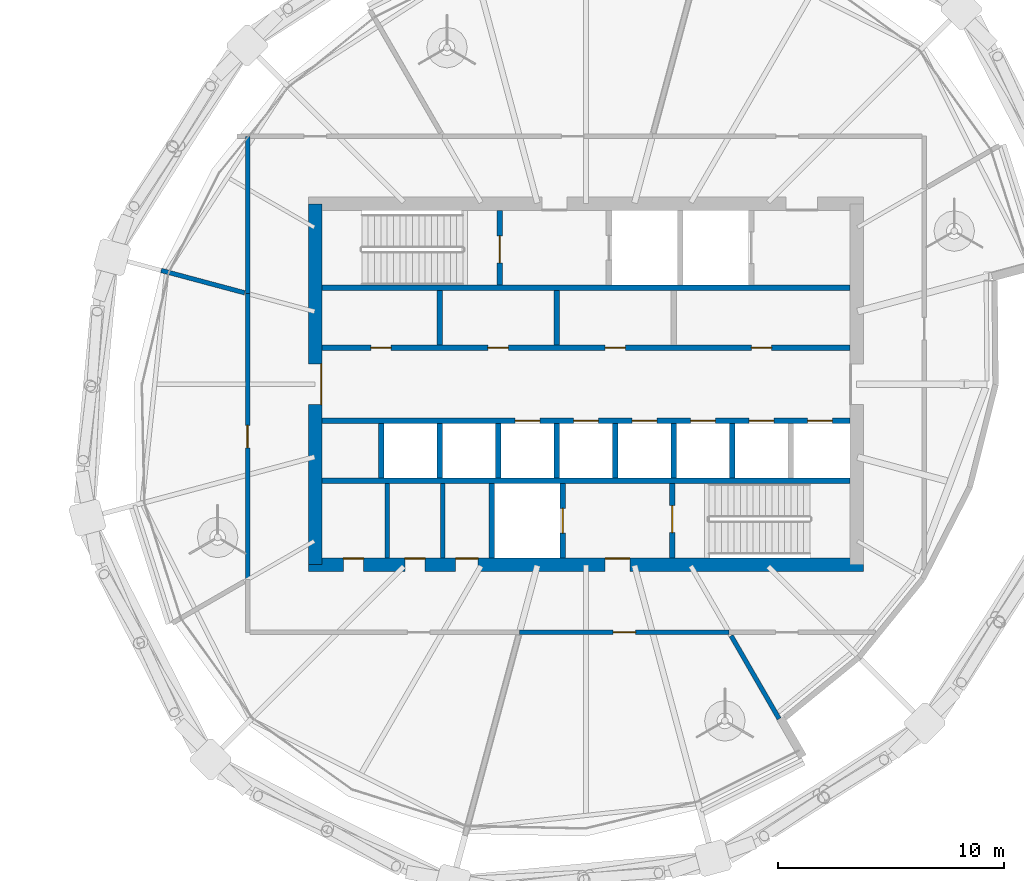
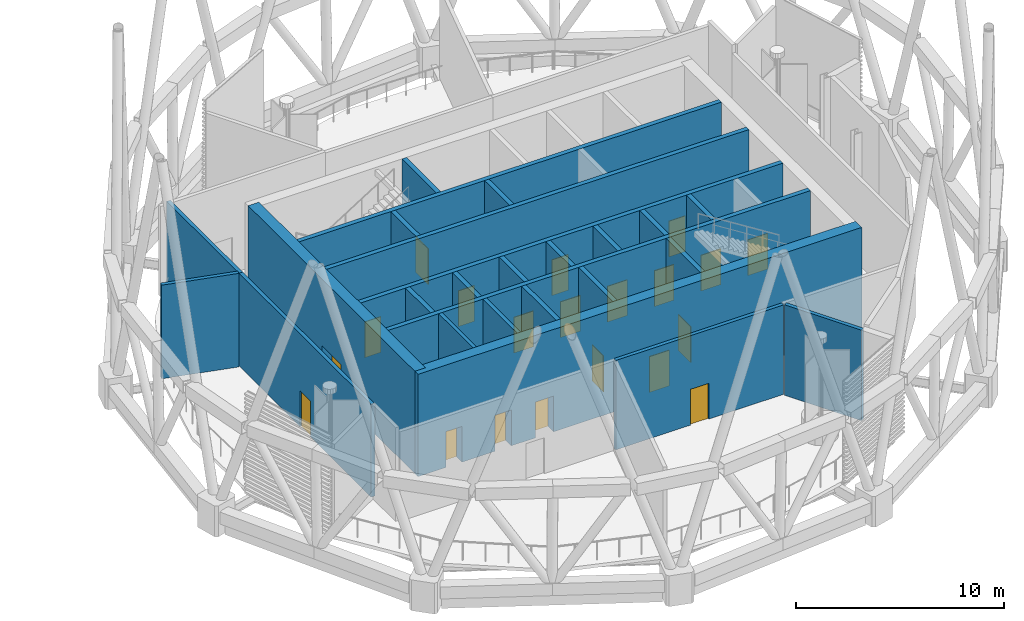
# One storey, part 12 of 22: 26 walls, 20 doors, 20 openings.
"""IFC4 building model written with IfcOpenShell, lengths in metres."""

from ifc_helpers import new_model, si_unit, direction, frame, frame_2d, origin, place, context, subcontext, project, spatial, rectangle, extrude, material, layer, layer_set, type_object, element, fill, save


model = new_model("IFC4")

# Units and contexts
model_context = context("Model", 3, precision=1e-05, world=origin(), true_north=direction((0.0, 1.0)))
body_context = subcontext(model_context, "Body", "Model", "MODEL_VIEW")
ifc_project = project(units=[si_unit("LENGTHUNIT", "METRE"), si_unit("AREAUNIT", "SQUARE_METRE"), si_unit("VOLUMEUNIT", "CUBIC_METRE"), si_unit("PLANEANGLEUNIT", "RADIAN"), si_unit("MASSUNIT", "GRAM", prefix="KILO")], contexts=[model_context])

# Site, building, storey
site_placement = place(None, origin())
site = spatial("IfcSite", under=ifc_project, at=site_placement, CompositionType="ELEMENT")
building_placement = place(site_placement, origin())
building = spatial("IfcBuilding", under=site, at=building_placement, Name="Rimbun Link Towers", CompositionType="ELEMENT")
storey_placement = place(building_placement, frame((0.0, 0.0, 204.5)))
storey = spatial("IfcBuildingStorey", under=building, at=storey_placement, Name="L50", CompositionType="ELEMENT", Elevation=204.5)

# Walls
ifc_material_1 = material(Name="Masonry blockwork", Category="masonry")
ifc_layer_1 = layer(ifc_material_1, 0.199951171875)
ifc_layer_set_1 = layer_set([ifc_layer_1], Name="Core partition 200")
wall_type_1 = type_object("IfcWallType", Name="Core partition 200", PredefinedType="PARTITIONING", material=ifc_layer_set_1)
for number, where, z_axis, x_axis, name in (
    (1, (22.949951171875, -4.39990234375, 0.0), (0.0, 0.0, 1.0), (0.0, -1.0, 0.0), "L50 T2 core wall C1"),
    (2, (25.39990234375, -4.39990234375, 0.0), (0.0, 0.0, 1.0), (0.0, -1.0, 0.0), "L50 T2 core wall C2"),
):
    element("IfcWall", number, at=place(storey_placement, frame(where, z_axis=z_axis, x_axis=x_axis)), inside=storey, type_object=wall_type_1, Name=name, PredefinedType="PARTITIONING", context=body_context, shape_type="SweptSolid", body=[
        extrude(rectangle(XDim=3.300048828125, YDim=0.199951171875, at=frame_2d((1.64990234375, 0.0))), origin(), (0.0, 0.0, 1.0), 6.0),
    ])

# Wall, openings, doors
ifc_material_2 = material(Name="Concrete C60/75", Category="concrete")
ifc_layer_2 = layer(ifc_material_2, 0.60009765625)
ifc_layer_set_2 = layer_set([ifc_layer_2], Name="Core shear wall 600")
wall_type_2 = type_object("IfcWallType", Name="Core shear wall 600", PredefinedType="SHEAR", material=ifc_layer_set_2)
wall_1_placement = place(storey_placement, frame((19.449951171875, -8.0, 0.0), z_axis=(0.0, 0.0, 1.0), x_axis=(1.0, 0.0, 0.0)))
wall_1 = element("IfcWall", 3, at=wall_1_placement, inside=storey, type_object=wall_type_2, Name="L50 T2 core wall S", PredefinedType="SHEAR", context=body_context, shape_type="SweptSolid", body=[
    extrude(rectangle(XDim=24.60009765625, YDim=0.60009765625, at=frame_2d((12.300048828125, 0.0))), origin(), (0.0, 0.0, 1.0), 6.0),
])
opening_1_placement = place(wall_1_placement, frame((13.14990234375, 0.0, 0.0)))
opening_1 = element("IfcOpeningElement", 4, at=opening_1_placement, cuts=wall_1, Name="Opening C2DCF01S", PredefinedType="OPENING", context=body_context, shape_type="SweptSolid", body=[
    extrude(rectangle(XDim=1.10009765625, YDim=2.10009765625, at=frame_2d((0.550048828125, 1.050048828125))), frame((0.0, 0.31005859375, 0.0), z_axis=(0.0, -1.0, 0.0), x_axis=(1.0, 0.0, 0.0)), (0.0, 0.0, 1.0), 0.6201171875),
])
opening_2_placement = place(wall_1_placement, frame((1.550048828125, 0.0, 0.0)))
opening_2 = element("IfcOpeningElement", 5, at=opening_2_placement, cuts=wall_1, Name="Opening C2DWC02S", PredefinedType="OPENING", context=body_context, shape_type="SweptSolid", body=[
    extrude(rectangle(XDim=0.89990234375, YDim=2.10009765625, at=frame_2d((0.449951171875, 1.050048828125))), frame((0.0, 0.31005859375, 0.0), z_axis=(0.0, -1.0, 0.0), x_axis=(1.0, 0.0, 0.0)), (0.0, 0.0, 1.0), 0.6201171875),
])
opening_3_placement = place(wall_1_placement, frame((4.27490234375, 0.0, 0.0)))
opening_3 = element("IfcOpeningElement", 6, at=opening_3_placement, cuts=wall_1, Name="Opening C2DWC03S", PredefinedType="OPENING", context=body_context, shape_type="SweptSolid", body=[
    extrude(rectangle(XDim=0.89990234375, YDim=2.10009765625, at=frame_2d((0.449951171875, 1.050048828125))), frame((0.0, 0.31005859375, 0.0), z_axis=(0.0, -1.0, 0.0), x_axis=(1.0, 0.0, 0.0)), (0.0, 0.0, 1.0), 0.6201171875),
])
opening_4_placement = place(wall_1_placement, frame((6.52490234375, 0.0, 0.0)))
opening_4 = element("IfcOpeningElement", 7, at=opening_4_placement, cuts=wall_1, Name="Opening C2DAW04S", PredefinedType="OPENING", context=body_context, shape_type="SweptSolid", body=[
    extrude(rectangle(XDim=1.0, YDim=2.10009765625, at=frame_2d((0.5, 1.050048828125))), frame((0.0, 0.31005859375, 0.0), z_axis=(0.0, -1.0, 0.0), x_axis=(1.0, 0.0, 0.0)), (0.0, 0.0, 1.0), 0.6201171875),
])
ifc_material_3 = material(Name="Timber", Category="wood")
door_type_1 = type_object("IfcDoorType", Name="Accessible WC door", OperationType="SINGLE_SWING_LEFT", PredefinedType="DOOR", material=ifc_material_3)
door_1_placement = place(opening_4_placement, origin())
door_1 = element("IfcDoor", 8, at=door_1_placement, inside=storey, type_object=door_type_1, Name="L50 T2 accessible wc door", OperationType="SINGLE_SWING_LEFT", OverallHeight=2.10009765625, OverallWidth=1.0, PredefinedType="DOOR", context=body_context, shape_type="SweptSolid", body=[
    extrude(rectangle(XDim=1.0, YDim=2.10009765625, at=frame_2d((0.5, 1.050048828125))), frame((0.0, 0.2998046875, 0.0), z_axis=(0.0, -1.0, 0.0), x_axis=(1.0, 0.0, 0.0)), (0.0, 0.0, 1.0), 0.050048828125),
])
fill(opening_4, door_1)
ifc_material_4 = material(Name="Steel fire door set", Category="steel")
door_type_2 = type_object("IfcDoorType", Name="Core fire door single", OperationType="SINGLE_SWING_LEFT", PredefinedType="DOOR", material=ifc_material_4)
door_2_placement = place(opening_1_placement, origin())
door_2 = element("IfcDoor", 9, at=door_2_placement, inside=storey, type_object=door_type_2, Name="L50 T2 firefighting lobby s door", OperationType="SINGLE_SWING_RIGHT", OverallHeight=2.10009765625, OverallWidth=1.10009765625, PredefinedType="DOOR", context=body_context, shape_type="SweptSolid", body=[
    extrude(rectangle(XDim=1.10009765625, YDim=2.10009765625, at=frame_2d((0.550048828125, 1.050048828125))), frame((0.0, 0.2998046875, 0.0), z_axis=(0.0, -1.0, 0.0), x_axis=(1.0, 0.0, 0.0)), (0.0, 0.0, 1.0), 0.050048828125),
])
fill(opening_1, door_2)
ifc_material_5 = material(Name="Timber", Category="wood")
door_type_3 = type_object("IfcDoorType", Name="WC door", OperationType="SINGLE_SWING_LEFT", PredefinedType="DOOR", material=ifc_material_5)
door_3_placement = place(opening_2_placement, origin())
door_3 = element("IfcDoor", 10, at=door_3_placement, inside=storey, type_object=door_type_3, Name="L50 T2 male wc door", OperationType="SINGLE_SWING_RIGHT", OverallHeight=2.10009765625, OverallWidth=0.89990234375, PredefinedType="DOOR", context=body_context, shape_type="SweptSolid", body=[
    extrude(rectangle(XDim=0.89990234375, YDim=2.10009765625, at=frame_2d((0.449951171875, 1.050048828125))), frame((0.0, 0.2998046875, 0.0), z_axis=(0.0, -1.0, 0.0), x_axis=(1.0, 0.0, 0.0)), (0.0, 0.0, 1.0), 0.050048828125),
])
fill(opening_2, door_3)
door_4_placement = place(opening_3_placement, origin())
door_4 = element("IfcDoor", 11, at=door_4_placement, inside=storey, type_object=door_type_3, Name="L50 T2 female wc door", OperationType="SINGLE_SWING_RIGHT", OverallHeight=2.10009765625, OverallWidth=0.89990234375, PredefinedType="DOOR", context=body_context, shape_type="SweptSolid", body=[
    extrude(rectangle(XDim=0.89990234375, YDim=2.10009765625, at=frame_2d((0.449951171875, 1.050048828125))), frame((0.0, 0.2998046875, 0.0), z_axis=(0.0, -1.0, 0.0), x_axis=(1.0, 0.0, 0.0)), (0.0, 0.0, 1.0), 0.050048828125),
])
fill(opening_3, door_4)

# Wall, opening, door
wall_2_placement = place(storey_placement, frame((19.75, -8.0, 0.0), z_axis=(0.0, 0.0, 1.0), x_axis=(0.0, 1.0, 0.0)))
wall_2 = element("IfcWall", 12, at=wall_2_placement, inside=storey, type_object=wall_type_2, Name="L50 T2 core wall W", PredefinedType="SHEAR", context=body_context, shape_type="SweptSolid", body=[
    extrude(rectangle(XDim=16.0, YDim=0.60009765625, at=frame_2d((8.0, 0.0))), origin(), (0.0, 0.0, 1.0), 6.0),
])
opening_5_placement = place(wall_2_placement, frame((7.10009765625, 0.0, 0.0)))
opening_5 = element("IfcOpeningElement", 13, at=opening_5_placement, cuts=wall_2, Name="Opening C2DCL01W", PredefinedType="OPENING", context=body_context, shape_type="SweptSolid", body=[
    extrude(rectangle(XDim=1.800048828125, YDim=2.10009765625, at=frame_2d((0.89990234375, 1.050048828125))), frame((0.0, 0.31005859375, 0.0), z_axis=(0.0, -1.0, 0.0), x_axis=(1.0, 0.0, 0.0)), (0.0, 0.0, 1.0), 0.6201171875),
])
ifc_material_6 = material(Name="Steel fire door set", Category="steel")
door_type_4 = type_object("IfcDoorType", Name="Core lobby door double", OperationType="DOUBLE_DOOR_SINGLE_SWING", PredefinedType="DOOR", material=ifc_material_6)
door_5_placement = place(opening_5_placement, origin())
door_5 = element("IfcDoor", 14, at=door_5_placement, inside=storey, type_object=door_type_4, Name="L50 T2 lift lobby door", OperationType="DOUBLE_DOOR_SINGLE_SWING", OverallHeight=2.10009765625, OverallWidth=1.800048828125, PredefinedType="DOOR", context=body_context, shape_type="SweptSolid", body=[
    extrude(rectangle(XDim=1.800048828125, YDim=2.10009765625, at=frame_2d((0.89990234375, 1.050048828125))), frame((0.0, -0.25, 0.0), z_axis=(0.0, -1.0, 0.0), x_axis=(1.0, 0.0, 0.0)), (0.0, 0.0, 1.0), 0.050048828125),
])
fill(opening_5, door_5)

ifc_material_7 = material(Name="Concrete blockwork", Category="masonry")
ifc_layer_3 = layer(ifc_material_7, 0.199951171875)
ifc_layer_set_3 = layer_set([ifc_layer_3], Name="Fire partition 200 blockwork")
wall_type_3 = type_object("IfcWallType", Name="Fire partition 200 blockwork", PredefinedType="PARTITIONING", material=ifc_layer_set_3)
wall_3_placement = place(storey_placement, frame((28.802490234375, -11.0, 0.0), z_axis=(0.0, 0.0, 1.0), x_axis=(1.0, 0.0, 0.0)))
wall_3 = element("IfcWall", 15, at=wall_3_placement, inside=storey, type_object=wall_type_3, Name="TW/PW/L50/022", PredefinedType="PARTITIONING", context=body_context, shape_type="SweptSolid", body=[
    extrude(rectangle(XDim=9.29833984375, YDim=0.199951171875, at=frame_2d((4.649169921875, 0.0))), origin(), (0.0, 0.0, 1.0), 5.237060546875),
])
opening_6_placement = place(wall_3_placement, frame((4.14892578125, 0.0, 0.0)))
opening_6 = element("IfcOpeningElement", 16, at=opening_6_placement, cuts=wall_3, Name="Opening TW D50.10", PredefinedType="OPENING", context=body_context, shape_type="SweptSolid", body=[
    extrude(rectangle(XDim=1.0, YDim=2.10009765625, at=frame_2d((0.5, 1.050048828125))), frame((0.0, 0.10986328125, 0.0), z_axis=(0.0, -1.0, 0.0), x_axis=(1.0, 0.0, 0.0)), (0.0, 0.0, 1.0), 0.219970703125),
])
ifc_material_8 = material(Name="Steel fire door set", Category="steel")
door_type_5 = type_object("IfcDoorType", Name="Fire door single leaf 1000 x 2100", OperationType="NOTDEFINED", PredefinedType="DOOR", material=ifc_material_8)
door_6_placement = place(opening_6_placement, origin())
door_6 = element("IfcDoor", 17, at=door_6_placement, inside=storey, type_object=door_type_5, Name="TW/DR/L50/010", OperationType="SINGLE_SWING_LEFT", OverallHeight=2.10009765625, OverallWidth=1.0, PredefinedType="DOOR", context=body_context, shape_type="SweptSolid", body=[
    extrude(rectangle(XDim=1.0, YDim=2.10009765625, at=frame_2d((0.5, 1.050048828125))), frame((0.0, 0.02490234375, 0.0), z_axis=(0.0, -1.0, 0.0), x_axis=(1.0, 0.0, 0.0)), (0.0, 0.0, 1.0), 0.050048828125),
])
fill(opening_6, door_6)

# Wall
wall_4_placement = place(storey_placement, frame((16.75, 10.97509765625, 0.0), z_axis=(0.0, 0.0, 1.0), x_axis=(0.0, -1.0, 0.0)))
element("IfcWall", 18, at=wall_4_placement, inside=storey, type_object=wall_type_3, Name="TW/PW/L50/029", PredefinedType="PARTITIONING", context=body_context, shape_type="SweptSolid", body=[
    extrude(rectangle(XDim=6.955810546875, YDim=0.199951171875, at=frame_2d((3.47802734375, 0.0))), origin(), (0.0, 0.0, 1.0), 5.43408203125),
])

# Wall, opening, door
wall_5_placement = place(storey_placement, frame((16.75, 4.019287109375, 0.0), z_axis=(0.0, 0.0, 1.0), x_axis=(0.0, -1.0, 0.0)))
wall_5 = element("IfcWall", 19, at=wall_5_placement, inside=storey, type_object=wall_type_3, Name="TW/PW/L50/030", PredefinedType="PARTITIONING", context=body_context, shape_type="SweptSolid", body=[
    extrude(rectangle(XDim=12.6796875, YDim=0.199951171875, at=frame_2d((6.33984375, 0.0))), origin(), (0.0, 0.0, 1.0), 5.43408203125),
])
opening_7_placement = place(wall_5_placement, frame((5.840087890625, 0.0, 0.0)))
opening_7 = element("IfcOpeningElement", 20, at=opening_7_placement, cuts=wall_5, Name="Opening TW D50.16", PredefinedType="OPENING", context=body_context, shape_type="SweptSolid", body=[
    extrude(rectangle(XDim=1.0, YDim=2.10009765625, at=frame_2d((0.5, 1.050048828125))), frame((0.0, 0.10986328125, 0.0), z_axis=(0.0, -1.0, 0.0), x_axis=(1.0, 0.0, 0.0)), (0.0, 0.0, 1.0), 0.219970703125),
])
door_7_placement = place(opening_7_placement, origin())
door_7 = element("IfcDoor", 21, at=door_7_placement, inside=storey, type_object=door_type_5, Name="TW/DR/L50/016", OperationType="SINGLE_SWING_LEFT", OverallHeight=2.10009765625, OverallWidth=1.0, PredefinedType="DOOR", context=body_context, shape_type="SweptSolid", body=[
    extrude(rectangle(XDim=1.0, YDim=2.10009765625, at=frame_2d((0.5, 1.050048828125))), frame((0.0, 0.02490234375, 0.0), z_axis=(0.0, -1.0, 0.0), x_axis=(1.0, 0.0, 0.0)), (0.0, 0.0, 1.0), 0.050048828125),
])
fill(opening_7, door_7)

# Walls
wall_6_placement = place(storey_placement, frame((40.3115234375, -14.8291015625, 0.0), z_axis=(0.0, 0.0, 1.0), x_axis=(-0.499971184285, 0.866042039906, 0.0)))
element("IfcWall", 22, at=wall_6_placement, inside=storey, type_object=wall_type_3, Name="TW/PW/L50/033", PredefinedType="PARTITIONING", context=body_context, shape_type="SweptSolid", body=[
    extrude(rectangle(XDim=4.248291015625, YDim=0.199951171875, at=frame_2d((2.1240234375, 0.0))), origin(), (0.0, 0.0, 1.0), 5.306884765625),
])
wall_7_placement = place(storey_placement, frame((12.9208984375, 5.045166015625, 0.0), z_axis=(0.0, 0.0, 1.0), x_axis=(0.965929859648, -0.258803991931, 0.0)))
element("IfcWall", 23, at=wall_7_placement, inside=storey, type_object=wall_type_3, Name="TW/PW/L50/037", PredefinedType="PARTITIONING", context=body_context, shape_type="SweptSolid", body=[
    extrude(rectangle(XDim=3.833740234375, YDim=0.199951171875, at=frame_2d((1.9169921875, 0.0))), origin(), (0.0, 0.0, 1.0), 5.485107421875),
])
ifc_material_9 = material(Name="Concrete C60/75", Category="concrete")
ifc_layer_4 = layer(ifc_material_9, 0.25)
ifc_layer_set_4 = layer_set([ifc_layer_4], Name="Shaft wall 250")
wall_type_4 = type_object("IfcWallType", Name="Shaft wall 250", PredefinedType="SHEAR", material=ifc_layer_set_4)
for number, where, z_axis, x_axis, name in (
    (24, (20.050048828125, 4.27490234375, 0.0), (0.0, 0.0, 1.0), (1.0, 0.0, 0.0), "L50 T2 core wall BN"),
    (25, (20.050048828125, -4.27490234375, 0.0), (0.0, 0.0, 1.0), (1.0, 0.0, 0.0), "L50 T2 core wall BS"),
):
    element("IfcWall", number, at=place(storey_placement, frame(where, z_axis=z_axis, x_axis=x_axis)), inside=storey, type_object=wall_type_4, Name=name, PredefinedType="SHEAR", context=body_context, shape_type="SweptSolid", body=[
        extrude(rectangle(XDim=23.39990234375, YDim=0.25, at=frame_2d((11.699951171875, 0.0))), origin(), (0.0, 0.0, 1.0), 6.0),
    ])

# Wall, openings, doors
wall_8_placement = place(storey_placement, frame((20.050048828125, 1.625, 0.0), z_axis=(0.0, 0.0, 1.0), x_axis=(1.0, 0.0, 0.0)))
wall_8 = element("IfcWall", 26, at=wall_8_placement, inside=storey, type_object=wall_type_4, Name="L50 T2 core wall FN", PredefinedType="SHEAR", context=body_context, shape_type="SweptSolid", body=[
    extrude(rectangle(XDim=23.39990234375, YDim=0.25, at=frame_2d((11.699951171875, 0.0))), origin(), (0.0, 0.0, 1.0), 6.0),
])
opening_8_placement = place(wall_8_placement, frame((2.16943359375, 0.0, 0.0)))
opening_8 = element("IfcOpeningElement", 27, at=opening_8_placement, cuts=wall_8, Name="Opening C2DRS01FN", PredefinedType="OPENING", context=body_context, shape_type="SweptSolid", body=[
    extrude(rectangle(XDim=0.89990234375, YDim=2.10009765625, at=frame_2d((0.449951171875, 1.050048828125))), frame((0.0, 0.135009765625, 0.0), z_axis=(0.0, -1.0, 0.0), x_axis=(1.0, 0.0, 0.0)), (0.0, 0.0, 1.0), 0.27001953125),
])
opening_9_placement = place(wall_8_placement, frame((7.3583984375, 0.0, 0.0)))
opening_9 = element("IfcOpeningElement", 28, at=opening_9_placement, cuts=wall_8, Name="Opening C2DRS02FN", PredefinedType="OPENING", context=body_context, shape_type="SweptSolid", body=[
    extrude(rectangle(XDim=0.89990234375, YDim=2.10009765625, at=frame_2d((0.449951171875, 1.050048828125))), frame((0.0, 0.135009765625, 0.0), z_axis=(0.0, -1.0, 0.0), x_axis=(1.0, 0.0, 0.0)), (0.0, 0.0, 1.0), 0.27001953125),
])
opening_10_placement = place(wall_8_placement, frame((12.547119140625, 0.0, 0.0)))
opening_10 = element("IfcOpeningElement", 29, at=opening_10_placement, cuts=wall_8, Name="Opening C2DRS03FN", PredefinedType="OPENING", context=body_context, shape_type="SweptSolid", body=[
    extrude(rectangle(XDim=0.89990234375, YDim=2.10009765625, at=frame_2d((0.449951171875, 1.050048828125))), frame((0.0, 0.135009765625, 0.0), z_axis=(0.0, -1.0, 0.0), x_axis=(1.0, 0.0, 0.0)), (0.0, 0.0, 1.0), 0.27001953125),
])
opening_11_placement = place(wall_8_placement, frame((19.033203125, 0.0, 0.0)))
opening_11 = element("IfcOpeningElement", 30, at=opening_11_placement, cuts=wall_8, Name="Opening C2DRS04FN", PredefinedType="OPENING", context=body_context, shape_type="SweptSolid", body=[
    extrude(rectangle(XDim=0.89990234375, YDim=2.10009765625, at=frame_2d((0.449951171875, 1.050048828125))), frame((0.0, 0.135009765625, 0.0), z_axis=(0.0, -1.0, 0.0), x_axis=(1.0, 0.0, 0.0)), (0.0, 0.0, 1.0), 0.27001953125),
])
ifc_material_10 = material(Name="Steel fire door set", Category="steel")
door_type_6 = type_object("IfcDoorType", Name="Core riser door", OperationType="SINGLE_SWING_LEFT", PredefinedType="DOOR", material=ifc_material_10)
door_8_placement = place(opening_8_placement, origin())
door_8 = element("IfcDoor", 31, at=door_8_placement, inside=storey, type_object=door_type_6, Name="L50 T2 pantry door", OperationType="SINGLE_SWING_LEFT", OverallHeight=2.10009765625, OverallWidth=0.89990234375, PredefinedType="DOOR", context=body_context, shape_type="SweptSolid", body=[
    extrude(rectangle(XDim=0.89990234375, YDim=2.10009765625, at=frame_2d((0.449951171875, 1.050048828125))), frame((0.0, 0.02490234375, 0.0), z_axis=(0.0, -1.0, 0.0), x_axis=(1.0, 0.0, 0.0)), (0.0, 0.0, 1.0), 0.050048828125),
])
fill(opening_8, door_8)
door_9_placement = place(opening_9_placement, origin())
door_9 = element("IfcDoor", 32, at=door_9_placement, inside=storey, type_object=door_type_6, Name="L50 T2 first aid room door", OperationType="SINGLE_SWING_LEFT", OverallHeight=2.10009765625, OverallWidth=0.89990234375, PredefinedType="DOOR", context=body_context, shape_type="SweptSolid", body=[
    extrude(rectangle(XDim=0.89990234375, YDim=2.10009765625, at=frame_2d((0.449951171875, 1.050048828125))), frame((0.0, 0.02490234375, 0.0), z_axis=(0.0, -1.0, 0.0), x_axis=(1.0, 0.0, 0.0)), (0.0, 0.0, 1.0), 0.050048828125),
])
fill(opening_9, door_9)
door_10_placement = place(opening_10_placement, origin())
door_10 = element("IfcDoor", 33, at=door_10_placement, inside=storey, type_object=door_type_6, Name="L50 T2 mail room door", OperationType="SINGLE_SWING_RIGHT", OverallHeight=2.10009765625, OverallWidth=0.89990234375, PredefinedType="DOOR", context=body_context, shape_type="SweptSolid", body=[
    extrude(rectangle(XDim=0.89990234375, YDim=2.10009765625, at=frame_2d((0.449951171875, 1.050048828125))), frame((0.0, 0.02490234375, 0.0), z_axis=(0.0, -1.0, 0.0), x_axis=(1.0, 0.0, 0.0)), (0.0, 0.0, 1.0), 0.050048828125),
])
fill(opening_10, door_10)
door_11_placement = place(opening_11_placement, origin())
door_11 = element("IfcDoor", 34, at=door_11_placement, inside=storey, type_object=door_type_6, Name="L50 T2 wellness room door", OperationType="SINGLE_SWING_LEFT", OverallHeight=2.10009765625, OverallWidth=0.89990234375, PredefinedType="DOOR", context=body_context, shape_type="SweptSolid", body=[
    extrude(rectangle(XDim=0.89990234375, YDim=2.10009765625, at=frame_2d((0.449951171875, 1.050048828125))), frame((0.0, 0.02490234375, 0.0), z_axis=(0.0, -1.0, 0.0), x_axis=(1.0, 0.0, 0.0)), (0.0, 0.0, 1.0), 0.050048828125),
])
fill(opening_11, door_11)

wall_9_placement = place(storey_placement, frame((20.050048828125, -1.625, 0.0), z_axis=(0.0, 0.0, 1.0), x_axis=(1.0, 0.0, 0.0)))
wall_9 = element("IfcWall", 35, at=wall_9_placement, inside=storey, type_object=wall_type_4, Name="L50 T2 core wall FS", PredefinedType="SHEAR", context=body_context, shape_type="SweptSolid", body=[
    extrude(rectangle(XDim=23.39990234375, YDim=0.25, at=frame_2d((11.699951171875, 0.0))), origin(), (0.0, 0.0, 1.0), 6.0),
])
opening_12_placement = place(wall_9_placement, frame((8.5556640625, 0.0, 0.0)))
opening_12 = element("IfcOpeningElement", 36, at=opening_12_placement, cuts=wall_9, Name="Opening LD-T2-HR1", PredefinedType="OPENING", context=body_context, shape_type="SweptSolid", body=[
    extrude(rectangle(XDim=1.10009765625, YDim=2.10009765625, at=frame_2d((0.550048828125, 1.050048828125))), frame((0.0, 0.135009765625, 0.0), z_axis=(0.0, -1.0, 0.0), x_axis=(1.0, 0.0, 0.0)), (0.0, 0.0, 1.0), 0.27001953125),
])
opening_13_placement = place(wall_9_placement, frame((11.14990234375, 0.0, 0.0)))
opening_13 = element("IfcOpeningElement", 37, at=opening_13_placement, cuts=wall_9, Name="Opening LD-T2-HR2", PredefinedType="OPENING", context=body_context, shape_type="SweptSolid", body=[
    extrude(rectangle(XDim=1.10009765625, YDim=2.10009765625, at=frame_2d((0.550048828125, 1.050048828125))), frame((0.0, 0.135009765625, 0.0), z_axis=(0.0, -1.0, 0.0), x_axis=(1.0, 0.0, 0.0)), (0.0, 0.0, 1.0), 0.27001953125),
])
opening_14_placement = place(wall_9_placement, frame((13.744384765625, 0.0, 0.0)))
opening_14 = element("IfcOpeningElement", 38, at=opening_14_placement, cuts=wall_9, Name="Opening LD-T2-HR3", PredefinedType="OPENING", context=body_context, shape_type="SweptSolid", body=[
    extrude(rectangle(XDim=1.10009765625, YDim=2.10009765625, at=frame_2d((0.550048828125, 1.050048828125))), frame((0.0, 0.135009765625, 0.0), z_axis=(0.0, -1.0, 0.0), x_axis=(1.0, 0.0, 0.0)), (0.0, 0.0, 1.0), 0.27001953125),
])
opening_15_placement = place(wall_9_placement, frame((16.3388671875, 0.0, 0.0)))
opening_15 = element("IfcOpeningElement", 39, at=opening_15_placement, cuts=wall_9, Name="Opening LD-T2-HR4", PredefinedType="OPENING", context=body_context, shape_type="SweptSolid", body=[
    extrude(rectangle(XDim=1.10009765625, YDim=2.10009765625, at=frame_2d((0.550048828125, 1.050048828125))), frame((0.0, 0.135009765625, 0.0), z_axis=(0.0, -1.0, 0.0), x_axis=(1.0, 0.0, 0.0)), (0.0, 0.0, 1.0), 0.27001953125),
])
opening_16_placement = place(wall_9_placement, frame((18.933349609375, 0.0, 0.0)))
opening_16 = element("IfcOpeningElement", 40, at=opening_16_placement, cuts=wall_9, Name="Opening LD-T2-HR5", PredefinedType="OPENING", context=body_context, shape_type="SweptSolid", body=[
    extrude(rectangle(XDim=1.10009765625, YDim=2.10009765625, at=frame_2d((0.550048828125, 1.050048828125))), frame((0.0, 0.135009765625, 0.0), z_axis=(0.0, -1.0, 0.0), x_axis=(1.0, 0.0, 0.0)), (0.0, 0.0, 1.0), 0.27001953125),
])
opening_17_placement = place(wall_9_placement, frame((21.52783203125, 0.0, 0.0)))
opening_17 = element("IfcOpeningElement", 41, at=opening_17_placement, cuts=wall_9, Name="Opening LD-T2-HR6", PredefinedType="OPENING", context=body_context, shape_type="SweptSolid", body=[
    extrude(rectangle(XDim=1.10009765625, YDim=2.10009765625, at=frame_2d((0.550048828125, 1.050048828125))), frame((0.0, 0.135009765625, 0.0), z_axis=(0.0, -1.0, 0.0), x_axis=(1.0, 0.0, 0.0)), (0.0, 0.0, 1.0), 0.27001953125),
])
ifc_material_11 = material(Name="Stainless steel grade 316", Category="steel")
door_type_7 = type_object("IfcDoorType", Name="Lift landing door", OperationType="DOUBLE_DOOR_SLIDING", PredefinedType="DOOR", material=ifc_material_11)
door_12_placement = place(opening_12_placement, origin())
door_12 = element("IfcDoor", 42, at=door_12_placement, inside=storey, type_object=door_type_7, Name="L50 T2 lift HR1 landing door", OperationType="DOUBLE_DOOR_SLIDING", OverallHeight=2.10009765625, OverallWidth=1.10009765625, PredefinedType="DOOR", context=body_context, shape_type="SweptSolid", body=[
    extrude(rectangle(XDim=1.10009765625, YDim=2.10009765625, at=frame_2d((0.550048828125, 1.050048828125))), frame((0.0, 0.02490234375, 0.0), z_axis=(0.0, -1.0, 0.0), x_axis=(1.0, 0.0, 0.0)), (0.0, 0.0, 1.0), 0.050048828125),
])
fill(opening_12, door_12)
door_13_placement = place(opening_13_placement, origin())
door_13 = element("IfcDoor", 43, at=door_13_placement, inside=storey, type_object=door_type_7, Name="L50 T2 lift HR2 landing door", OperationType="DOUBLE_DOOR_SLIDING", OverallHeight=2.10009765625, OverallWidth=1.10009765625, PredefinedType="DOOR", context=body_context, shape_type="SweptSolid", body=[
    extrude(rectangle(XDim=1.10009765625, YDim=2.10009765625, at=frame_2d((0.550048828125, 1.050048828125))), frame((0.0, 0.02490234375, 0.0), z_axis=(0.0, -1.0, 0.0), x_axis=(1.0, 0.0, 0.0)), (0.0, 0.0, 1.0), 0.050048828125),
])
fill(opening_13, door_13)
door_14_placement = place(opening_14_placement, origin())
door_14 = element("IfcDoor", 44, at=door_14_placement, inside=storey, type_object=door_type_7, Name="L50 T2 lift HR3 landing door", OperationType="DOUBLE_DOOR_SLIDING", OverallHeight=2.10009765625, OverallWidth=1.10009765625, PredefinedType="DOOR", context=body_context, shape_type="SweptSolid", body=[
    extrude(rectangle(XDim=1.10009765625, YDim=2.10009765625, at=frame_2d((0.550048828125, 1.050048828125))), frame((0.0, 0.02490234375, 0.0), z_axis=(0.0, -1.0, 0.0), x_axis=(1.0, 0.0, 0.0)), (0.0, 0.0, 1.0), 0.050048828125),
])
fill(opening_14, door_14)
door_15_placement = place(opening_15_placement, origin())
door_15 = element("IfcDoor", 45, at=door_15_placement, inside=storey, type_object=door_type_7, Name="L50 T2 lift HR4 landing door", OperationType="DOUBLE_DOOR_SLIDING", OverallHeight=2.10009765625, OverallWidth=1.10009765625, PredefinedType="DOOR", context=body_context, shape_type="SweptSolid", body=[
    extrude(rectangle(XDim=1.10009765625, YDim=2.10009765625, at=frame_2d((0.550048828125, 1.050048828125))), frame((0.0, 0.02490234375, 0.0), z_axis=(0.0, -1.0, 0.0), x_axis=(1.0, 0.0, 0.0)), (0.0, 0.0, 1.0), 0.050048828125),
])
fill(opening_15, door_15)
door_16_placement = place(opening_16_placement, origin())
door_16 = element("IfcDoor", 46, at=door_16_placement, inside=storey, type_object=door_type_7, Name="L50 T2 lift HR5 landing door", OperationType="DOUBLE_DOOR_SLIDING", OverallHeight=2.10009765625, OverallWidth=1.10009765625, PredefinedType="DOOR", context=body_context, shape_type="SweptSolid", body=[
    extrude(rectangle(XDim=1.10009765625, YDim=2.10009765625, at=frame_2d((0.550048828125, 1.050048828125))), frame((0.0, 0.02490234375, 0.0), z_axis=(0.0, -1.0, 0.0), x_axis=(1.0, 0.0, 0.0)), (0.0, 0.0, 1.0), 0.050048828125),
])
fill(opening_16, door_16)
door_17_placement = place(opening_17_placement, origin())
door_17 = element("IfcDoor", 47, at=door_17_placement, inside=storey, type_object=door_type_7, Name="L50 T2 lift HR6 landing door", OperationType="DOUBLE_DOOR_SLIDING", OverallHeight=2.10009765625, OverallWidth=1.10009765625, PredefinedType="DOOR", context=body_context, shape_type="SweptSolid", body=[
    extrude(rectangle(XDim=1.10009765625, YDim=2.10009765625, at=frame_2d((0.550048828125, 1.050048828125))), frame((0.0, 0.02490234375, 0.0), z_axis=(0.0, -1.0, 0.0), x_axis=(1.0, 0.0, 0.0)), (0.0, 0.0, 1.0), 0.050048828125),
])
fill(opening_17, door_17)

# Walls
for number, where, z_axis, x_axis, name in (
    (48, (25.263916015625, 1.75, 0.0), (0.0, 0.0, 1.0), (0.0, 1.0, 0.0), "L50 T2 core wall DN1"),
    (49, (30.452880859375, 1.75, 0.0), (0.0, 0.0, 1.0), (0.0, 1.0, 0.0), "L50 T2 core wall DN3"),
    (50, (22.66943359375, -4.14990234375, 0.0), (0.0, 0.0, 1.0), (0.0, 1.0, 0.0), "L50 T2 core wall DS0"),
    (51, (25.263916015625, -4.14990234375, 0.0), (0.0, 0.0, 1.0), (0.0, 1.0, 0.0), "L50 T2 core wall DS1"),
    (52, (27.8583984375, -4.14990234375, 0.0), (0.0, 0.0, 1.0), (0.0, 1.0, 0.0), "L50 T2 core wall DS2"),
    (53, (30.452880859375, -4.14990234375, 0.0), (0.0, 0.0, 1.0), (0.0, 1.0, 0.0), "L50 T2 core wall DS3"),
    (54, (33.047119140625, -4.14990234375, 0.0), (0.0, 0.0, 1.0), (0.0, 1.0, 0.0), "L50 T2 core wall DS4"),
    (55, (35.6416015625, -4.14990234375, 0.0), (0.0, 0.0, 1.0), (0.0, 1.0, 0.0), "L50 T2 core wall DS5"),
    (56, (38.236083984375, -4.14990234375, 0.0), (0.0, 0.0, 1.0), (0.0, 1.0, 0.0), "L50 T2 core wall DS6"),
):
    element("IfcWall", number, at=place(storey_placement, frame(where, z_axis=z_axis, x_axis=x_axis)), inside=storey, type_object=wall_type_4, Name=name, PredefinedType="SHEAR", context=body_context, shape_type="SweptSolid", body=[
        extrude(rectangle(XDim=2.39990234375, YDim=0.25, at=frame_2d((1.199951171875, 0.0))), origin(), (0.0, 0.0, 1.0), 6.0),
    ])

# Wall, opening, door
wall_10_placement = place(storey_placement, frame((27.925048828125, 4.39990234375, 0.0), z_axis=(0.0, 0.0, 1.0), x_axis=(0.0, 1.0, 0.0)))
wall_10 = element("IfcWall", 57, at=wall_10_placement, inside=storey, type_object=wall_type_4, Name="L50 T2 core wall A1", PredefinedType="SHEAR", context=body_context, shape_type="SweptSolid", body=[
    extrude(rectangle(XDim=3.300048828125, YDim=0.25, at=frame_2d((1.64990234375, 0.0))), origin(), (0.0, 0.0, 1.0), 6.0),
])
opening_18_placement = place(wall_10_placement, frame((0.97509765625, 0.0, 0.0)))
opening_18 = element("IfcOpeningElement", 58, at=opening_18_placement, cuts=wall_10, Name="Opening C2DST01A1", PredefinedType="OPENING", context=body_context, shape_type="SweptSolid", body=[
    extrude(rectangle(XDim=1.199951171875, YDim=2.10009765625, at=frame_2d((0.60009765625, 1.050048828125))), frame((0.0, 0.135009765625, 0.0), z_axis=(0.0, -1.0, 0.0), x_axis=(1.0, 0.0, 0.0)), (0.0, 0.0, 1.0), 0.27001953125),
])
ifc_material_12 = material(Name="Steel fire door set", Category="steel")
door_type_8 = type_object("IfcDoorType", Name="Stair door", OperationType="SINGLE_SWING_LEFT", PredefinedType="DOOR", material=ifc_material_12)
door_18_placement = place(opening_18_placement, origin())
door_18 = element("IfcDoor", 59, at=door_18_placement, inside=storey, type_object=door_type_8, Name="L50 T2 stair a door", OperationType="SINGLE_SWING_RIGHT", OverallHeight=2.10009765625, OverallWidth=1.199951171875, PredefinedType="DOOR", context=body_context, shape_type="SweptSolid", body=[
    extrude(rectangle(XDim=1.199951171875, YDim=2.10009765625, at=frame_2d((0.60009765625, 1.050048828125))), frame((0.0, 0.02490234375, 0.0), z_axis=(0.0, -1.0, 0.0), x_axis=(1.0, 0.0, 0.0)), (0.0, 0.0, 1.0), 0.050048828125),
])
fill(opening_18, door_18)

wall_11_placement = place(storey_placement, frame((35.574951171875, -4.39990234375, 0.0), z_axis=(0.0, 0.0, 1.0), x_axis=(0.0, -1.0, 0.0)))
wall_11 = element("IfcWall", 60, at=wall_11_placement, inside=storey, type_object=wall_type_4, Name="L50 T2 core wall B1", PredefinedType="SHEAR", context=body_context, shape_type="SweptSolid", body=[
    extrude(rectangle(XDim=3.300048828125, YDim=0.25, at=frame_2d((1.64990234375, 0.0))), origin(), (0.0, 0.0, 1.0), 6.0),
])
opening_19_placement = place(wall_11_placement, frame((0.97509765625, 0.0, 0.0)))
opening_19 = element("IfcOpeningElement", 61, at=opening_19_placement, cuts=wall_11, Name="Opening C2DST01B1", PredefinedType="OPENING", context=body_context, shape_type="SweptSolid", body=[
    extrude(rectangle(XDim=1.199951171875, YDim=2.10009765625, at=frame_2d((0.60009765625, 1.050048828125))), frame((0.0, 0.135009765625, 0.0), z_axis=(0.0, -1.0, 0.0), x_axis=(1.0, 0.0, 0.0)), (0.0, 0.0, 1.0), 0.27001953125),
])
door_19_placement = place(opening_19_placement, origin())
door_19 = element("IfcDoor", 62, at=door_19_placement, inside=storey, type_object=door_type_8, Name="L50 T2 stair b door", OperationType="SINGLE_SWING_RIGHT", OverallHeight=2.10009765625, OverallWidth=1.199951171875, PredefinedType="DOOR", context=body_context, shape_type="SweptSolid", body=[
    extrude(rectangle(XDim=1.199951171875, YDim=2.10009765625, at=frame_2d((0.60009765625, 1.050048828125))), frame((0.0, 0.02490234375, 0.0), z_axis=(0.0, -1.0, 0.0), x_axis=(1.0, 0.0, 0.0)), (0.0, 0.0, 1.0), 0.050048828125),
])
fill(opening_19, door_19)

wall_12_placement = place(storey_placement, frame((30.72509765625, -4.39990234375, 0.0), z_axis=(0.0, 0.0, 1.0), x_axis=(0.0, -1.0, 0.0)))
wall_12 = element("IfcWall", 63, at=wall_12_placement, inside=storey, type_object=wall_type_4, Name="L50 T2 core wall B2", PredefinedType="SHEAR", context=body_context, shape_type="SweptSolid", body=[
    extrude(rectangle(XDim=3.300048828125, YDim=0.25, at=frame_2d((1.64990234375, 0.0))), origin(), (0.0, 0.0, 1.0), 6.0),
])
opening_20_placement = place(wall_12_placement, frame((1.10009765625, 0.0, 0.0)))
opening_20 = element("IfcOpeningElement", 64, at=opening_20_placement, cuts=wall_12, Name="Opening LD-T2-FF2", PredefinedType="OPENING", context=body_context, shape_type="SweptSolid", body=[
    extrude(rectangle(XDim=1.10009765625, YDim=2.10009765625, at=frame_2d((0.550048828125, 1.050048828125))), frame((0.0, 0.135009765625, 0.0), z_axis=(0.0, -1.0, 0.0), x_axis=(1.0, 0.0, 0.0)), (0.0, 0.0, 1.0), 0.27001953125),
])
door_20_placement = place(opening_20_placement, origin())
door_20 = element("IfcDoor", 65, at=door_20_placement, inside=storey, type_object=door_type_7, Name="L50 T2 lift FF2 landing door", OperationType="DOUBLE_DOOR_SLIDING", OverallHeight=2.10009765625, OverallWidth=1.10009765625, PredefinedType="DOOR", context=body_context, shape_type="SweptSolid", body=[
    extrude(rectangle(XDim=1.10009765625, YDim=2.10009765625, at=frame_2d((0.550048828125, 1.050048828125))), frame((0.0, 0.02490234375, 0.0), z_axis=(0.0, -1.0, 0.0), x_axis=(1.0, 0.0, 0.0)), (0.0, 0.0, 1.0), 0.050048828125),
])
fill(opening_20, door_20)

# Wall
wall_13_placement = place(storey_placement, frame((27.574951171875, -4.39990234375, 0.0), z_axis=(0.0, 0.0, 1.0), x_axis=(0.0, -1.0, 0.0)))
element("IfcWall", 66, at=wall_13_placement, inside=storey, type_object=wall_type_4, Name="L50 T2 core wall B3", PredefinedType="SHEAR", context=body_context, shape_type="SweptSolid", body=[
    extrude(rectangle(XDim=3.300048828125, YDim=0.25, at=frame_2d((1.64990234375, 0.0))), origin(), (0.0, 0.0, 1.0), 6.0),
])

save(model, "model.ifc")
